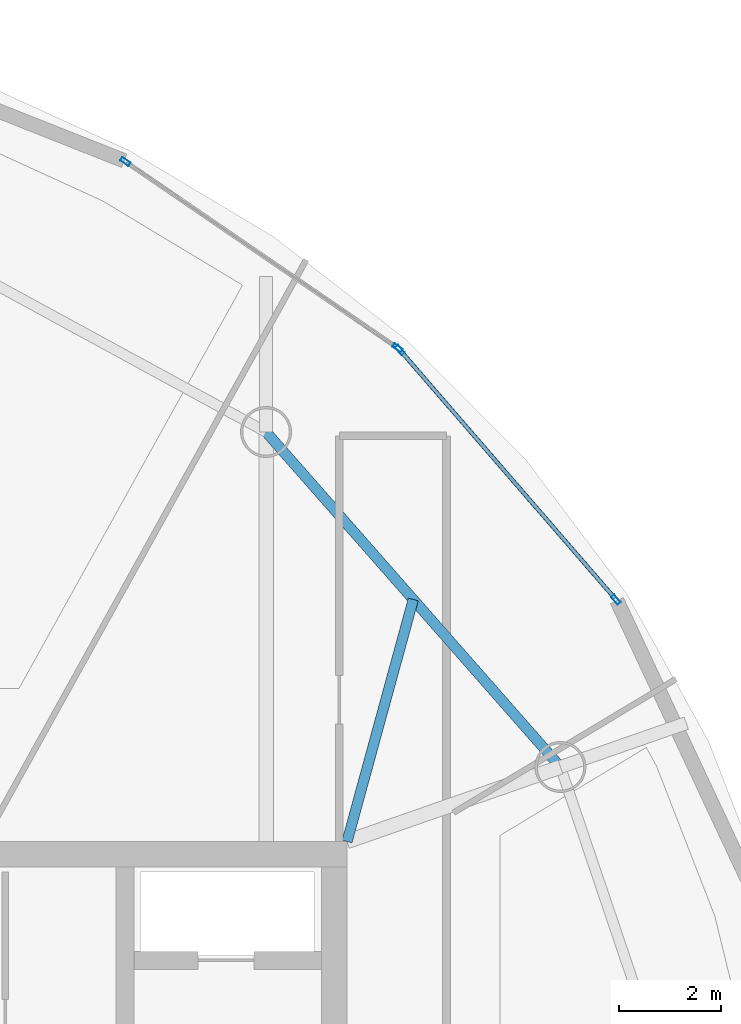
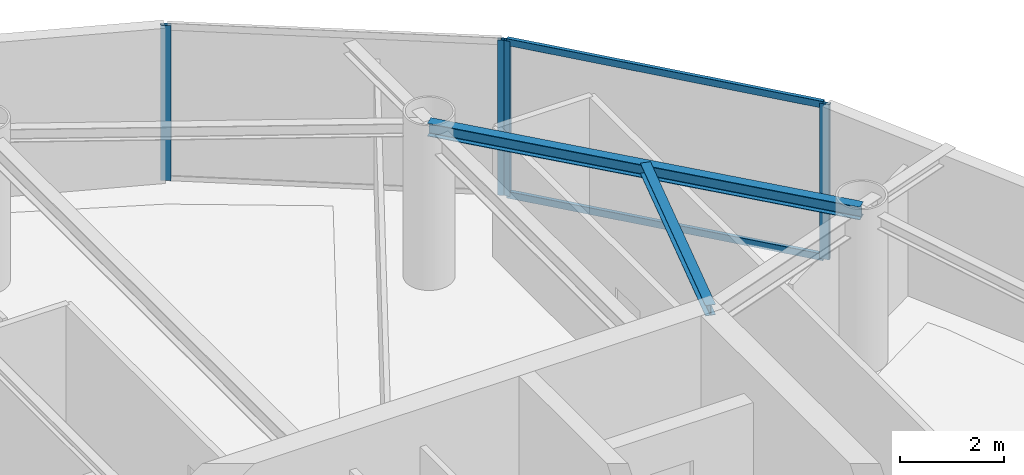
# One storey, part 9 of 16: 6 members, 2 beams, 2 elements without a shape of their own.
"""IFC4 building model written with IfcOpenShell, lengths in metres."""

from ifc_helpers import new_model, si_unit, direction, frame, origin, origin_2d, place, context, subcontext, project, spatial, hollow_rectangle, i_section, extrude, material, layer, layer_set, material_profile, profile_set, type_object, element, aggregate, save


model = new_model("IFC4")

# Units and contexts
model_context = context("Model", 3, precision=1e-05, world=origin(), true_north=direction((0.0, 1.0)))
body_context = subcontext(model_context, "Body", "Model", "MODEL_VIEW")
ifc_project = project(units=[si_unit("LENGTHUNIT", "METRE"), si_unit("AREAUNIT", "SQUARE_METRE"), si_unit("VOLUMEUNIT", "CUBIC_METRE"), si_unit("PLANEANGLEUNIT", "RADIAN"), si_unit("MASSUNIT", "GRAM", prefix="KILO")], contexts=[model_context])

# Site, building, storey
site_placement = place(None, origin())
site = spatial("IfcSite", under=ifc_project, at=site_placement, CompositionType="ELEMENT")
building_placement = place(site_placement, origin())
building = spatial("IfcBuilding", under=site, at=building_placement, Name="Bramvorn Convention Spire", CompositionType="ELEMENT")
storey_placement = place(building_placement, frame((0.0, 0.0, 261.300048828125)))
storey = spatial("IfcBuildingStorey", under=building, at=storey_placement, Name="L66", CompositionType="ELEMENT", Elevation=261.300048828125)

# Beams
ifc_material_1 = material(Name="Steel CSA G40.21 Grade 350 (350W)", Category="steel")
ifc_material_profile_1 = material_profile(ifc_material_1, i_section(OverallWidth=0.201904296875, OverallDepth=0.2470703125, WebThickness=0.00732421875, FlangeThickness=0.010986328125, FilletRadius=0.011962890625, at=origin_2d()))
ifc_profile_set_1 = profile_set([ifc_material_profile_1], Name="Steel CSA G40.21 Grade 350 (350W) - W250X49")
beam_type_1 = type_object("IfcBeamType", Name="BM-W250X49", PredefinedType="JOIST", material=ifc_profile_set_1)
beam_1_placement = place(storey_placement, frame((49.25, 33.449951171875, 3.50146484375), z_axis=(0.26386506219, 0.96455960363, 0.0), x_axis=(-0.96455960363, 0.26386506219, 0.0)))
element("IfcBeam", 1, at=beam_1_placement, inside=storey, type_object=beam_type_1, Name="L66 composite floor joist 05", PredefinedType="JOIST", context=body_context, shape_type="SweptSolid", body=[
    extrude(i_section(OverallWidth=0.201904296875, OverallDepth=0.2470703125, WebThickness=0.00732421875, FlangeThickness=0.010986328125, FilletRadius=0.011962890625, at=origin_2d()), origin(), (0.0, 0.0, 1.0), 4.917724609375),
])
ifc_material_profile_2 = material_profile(ifc_material_1, i_section(OverallWidth=0.202880859375, OverallDepth=0.302978515625, WebThickness=0.007568359375, FlangeThickness=0.01318359375, FilletRadius=0.013916015625, at=origin_2d()))
ifc_profile_set_2 = profile_set([ifc_material_profile_2], Name="Steel CSA G40.21 Grade 350 (350W) - W310X60")
beam_type_2 = type_object("IfcBeamType", Name="BM-W310X60", PredefinedType="JOIST", material=ifc_profile_set_2)
beam_2_placement = place(storey_placement, frame((53.4326171875, 34.909912109375, 3.473388671875), z_axis=(-0.660073062339, 0.751201405999, 0.0), x_axis=(-0.751201405999, -0.660073062339, 0.0)))
element("IfcBeam", 2, at=beam_2_placement, inside=storey, type_object=beam_type_2, Name="L66 mega-column ring beam 05", PredefinedType="JOIST", context=body_context, shape_type="SweptSolid", body=[
    extrude(i_section(OverallWidth=0.202880859375, OverallDepth=0.302978515625, WebThickness=0.007568359375, FlangeThickness=0.01318359375, FilletRadius=0.013916015625, at=origin_2d()), origin(), (0.0, 0.0, 1.0), 8.741943359375),
])

# Curtain wall, members
ifc_material_2 = material(Name="Anodised Bronze Unitised Curtain Wall", Category="aluminium")
ifc_layer = layer(ifc_material_2, 0.179931640625)
ifc_layer_set = layer_set([ifc_layer], Name="Anodised Bronze Unitised Curtain Wall - CW-OFF-FRIT")
curtain_wall_type = type_object("IfcCurtainWallType", Name="CW-OFF-FRIT", PredefinedType="USERDEFINED", material=ifc_layer_set)
curtain_wall_1_placement = place(storey_placement, origin())
curtain_wall_1 = element("IfcCurtainWall", 3, at=curtain_wall_1_placement, inside=storey, type_object=curtain_wall_type, Name="L66 fritted glass curtain wall 07", ObjectType="UNITISED CURTAIN WALL", PredefinedType="USERDEFINED")
ifc_material_3 = material(Name="Anodised Bronze Aluminium 6063-T6", Category="aluminium")
ifc_material_profile_3 = material_profile(ifc_material_3, hollow_rectangle(XDim=0.080078125, YDim=0.199951171875, WallThickness=0.00390625, InnerFilletRadius=0.0009765625, OuterFilletRadius=0.00390625, at=origin_2d()))
ifc_profile_set_3 = profile_set([ifc_material_profile_3], Name="Anodised Bronze Aluminium 6063-T6 - CWM80X200")
member_type_1 = type_object("IfcMemberType", Name="CW-MUL-180", PredefinedType="MULLION", material=ifc_profile_set_3)
member_1_placement = place(storey_placement, frame((50.28564453125, 43.082763671875, 0.0), z_axis=(0.0, 0.0, 1.0), x_axis=(0.756076680871, 0.654483042288, 0.0)))
member_1 = element("IfcMember", 4, at=member_1_placement, type_object=member_type_1, Name="CW3 mullion 1", PredefinedType="MULLION", context=body_context, shape_type="SweptSolid", body=[
    extrude(hollow_rectangle(XDim=0.080078125, YDim=0.199951171875, WallThickness=0.00390625, InnerFilletRadius=0.0009765625, OuterFilletRadius=0.00390625, at=origin_2d()), origin(), (0.0, 0.0, 1.0), 3.625),
])
member_2_placement = place(storey_placement, frame((54.51806640625, 38.193359375, 0.0), z_axis=(0.0, 0.0, 1.0), x_axis=(0.756076680871, 0.654483042288, 0.0)))
member_2 = element("IfcMember", 5, at=member_2_placement, type_object=member_type_1, Name="CW3 mullion 2", PredefinedType="MULLION", context=body_context, shape_type="SweptSolid", body=[
    extrude(hollow_rectangle(XDim=0.080078125, YDim=0.199951171875, WallThickness=0.00390625, InnerFilletRadius=0.0009765625, OuterFilletRadius=0.00390625, at=origin_2d()), origin(), (0.0, 0.0, 1.0), 3.625),
])

curtain_wall_2_placement = place(storey_placement, origin())
curtain_wall_2 = element("IfcCurtainWall", 6, at=curtain_wall_2_placement, inside=storey, type_object=curtain_wall_type, Name="L66 fritted glass curtain wall 08", ObjectType="UNITISED CURTAIN WALL", PredefinedType="USERDEFINED")
member_3_placement = place(storey_placement, frame((44.905517578125, 46.77490234375, 0.0), z_axis=(0.0, 0.0, 1.0), x_axis=(0.564853093174, 0.825191482707, 0.0)))
member_3 = element("IfcMember", 7, at=member_3_placement, type_object=member_type_1, Name="CW3 mullion 1", PredefinedType="MULLION", context=body_context, shape_type="SweptSolid", body=[
    extrude(hollow_rectangle(XDim=0.080078125, YDim=0.199951171875, WallThickness=0.00390625, InnerFilletRadius=0.0009765625, OuterFilletRadius=0.00390625, at=origin_2d()), origin(), (0.0, 0.0, 1.0), 3.625),
])
member_4_placement = place(storey_placement, frame((50.2412109375, 43.12255859375, 0.0), z_axis=(0.0, 0.0, 1.0), x_axis=(0.564853093174, 0.825191482707, 0.0)))
member_4 = element("IfcMember", 8, at=member_4_placement, type_object=member_type_1, Name="CW3 mullion 2", PredefinedType="MULLION", context=body_context, shape_type="SweptSolid", body=[
    extrude(hollow_rectangle(XDim=0.080078125, YDim=0.199951171875, WallThickness=0.00390625, InnerFilletRadius=0.0009765625, OuterFilletRadius=0.00390625, at=origin_2d()), origin(), (0.0, 0.0, 1.0), 3.625),
])
aggregate(curtain_wall_2, [member_3, member_4])

# Member
ifc_material_profile_4 = material_profile(ifc_material_3, hollow_rectangle(XDim=0.080078125, YDim=0.159912109375, WallThickness=0.00390625, InnerFilletRadius=0.0009765625, OuterFilletRadius=0.00390625, at=origin_2d()))
ifc_profile_set_4 = profile_set([ifc_material_profile_4], Name="Anodised Bronze Aluminium 6063-T6 - CWT80X160")
member_type_2 = type_object("IfcMemberType", Name="CW-TRN-150", PredefinedType="USERDEFINED", material=ifc_profile_set_4)
member_5_placement = place(storey_placement, frame((50.30517578125, 43.06005859375, 0.030029296875), z_axis=(0.654505371285, -0.756057351634, 0.0), x_axis=(0.756057351634, 0.654505371285, 0.0)))
member_5 = element("IfcMember", 9, at=member_5_placement, type_object=member_type_2, Name="CW3 transom 1.1", ObjectType="TRANSOM", PredefinedType="USERDEFINED", context=body_context, shape_type="SweptSolid", body=[
    extrude(hollow_rectangle(XDim=0.080078125, YDim=0.159912109375, WallThickness=0.00390625, InnerFilletRadius=0.0009765625, OuterFilletRadius=0.00390625, at=origin_2d()), origin(), (0.0, 0.0, 1.0), 6.406982421875),
])

member_6_placement = place(storey_placement, frame((50.30517578125, 43.06005859375, 3.594970703125), z_axis=(0.654505371285, -0.756057351634, 0.0), x_axis=(0.756057351634, 0.654505371285, 0.0)))
member_6 = element("IfcMember", 10, at=member_6_placement, type_object=member_type_2, Name="CW3 transom 1.2", ObjectType="TRANSOM", PredefinedType="USERDEFINED", context=body_context, shape_type="SweptSolid", body=[
    extrude(hollow_rectangle(XDim=0.080078125, YDim=0.159912109375, WallThickness=0.00390625, InnerFilletRadius=0.0009765625, OuterFilletRadius=0.00390625, at=origin_2d()), origin(), (0.0, 0.0, 1.0), 6.406982421875),
])

aggregate(curtain_wall_1, [member_1, member_2, member_5, member_6])

save(model, "model.ifc")
